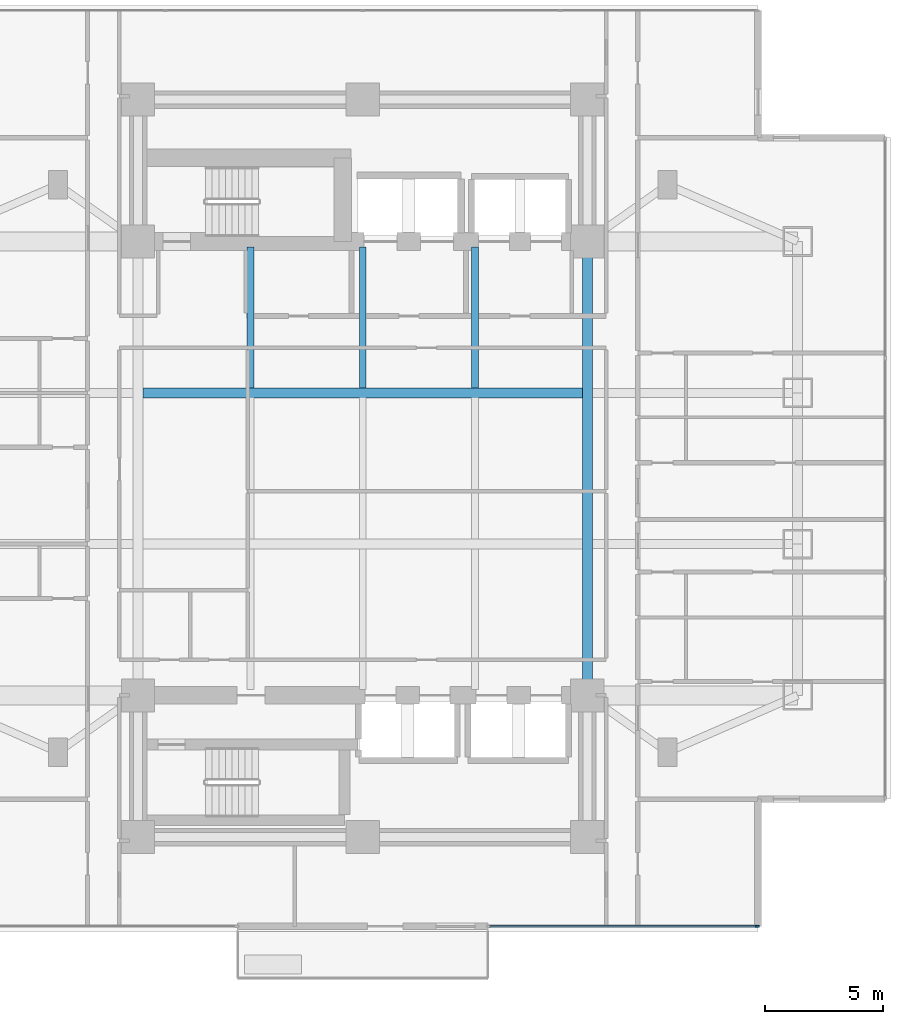
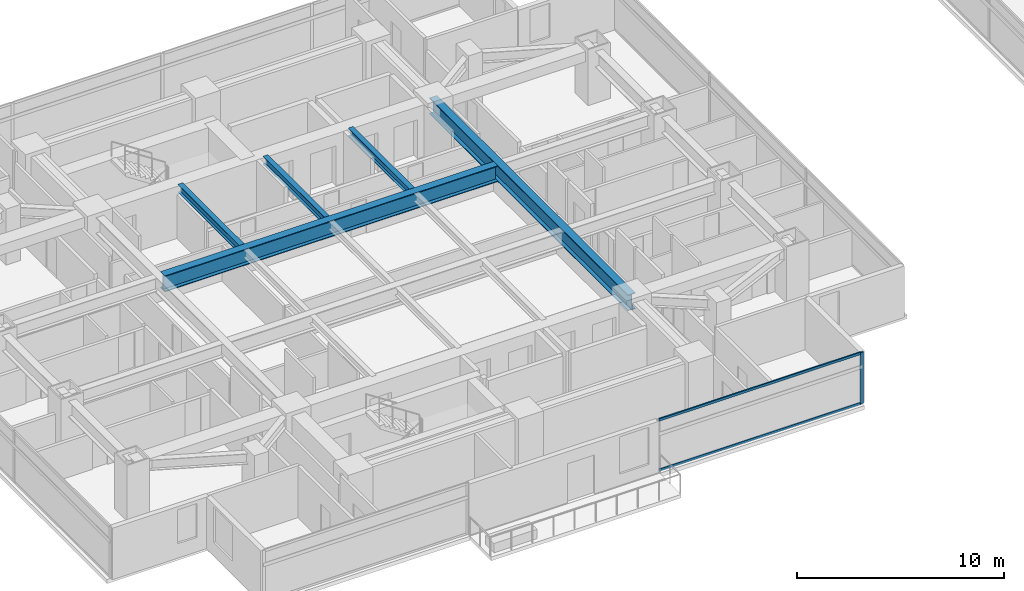
# One storey, part 4 of 25: 5 beams, 3 members, 1 element without a shape of its own.
"""IFC4 building model written with IfcOpenShell, lengths in metres."""

import ifcopenshell
import ifcopenshell.guid

model = None  # the IFC model being written
_history = None  # IfcOwnerHistory: only IFC2X3 demands one
_inside = {}  # id of a spatial element -> (the spatial element, [elements in it])
_under = {}  # id of a project, library or spatial element -> (it, [spatial elements below it])
_declared = {}  # id of a project -> (the project, [libraries it declares])
_typed = {}  # id of a type object -> (the type object, [elements of that type])
_made_of = {}  # id of a material, layer set ... -> (it, [elements and type objects made of it])


def new_model(schema):
    """Start an empty IFC model of exactly this schema.

    Asked for "IFC4X3", IfcOpenShell would pick the latest addendum, in which some entities
    have other attributes; the version numbers below select the first issue.
    IFC2X3 requires an IfcOwnerHistory on every rooted entity: one is made here for all.
    """
    global model, _history
    if schema == "IFC4X3":
        model = ifcopenshell.file(schema_version=(4, 3, 0, 0))
    else:
        model = ifcopenshell.file(schema=schema)
    _inside.clear()
    _under.clear()
    _declared.clear()
    _typed.clear()
    _made_of.clear()
    _history = None
    if model.schema == "IFC2X3":
        org = make("IfcOrganization", Name="unknown")
        user = make(
            "IfcPersonAndOrganization",
            ThePerson=make("IfcPerson", FamilyName="unknown"),
            TheOrganization=org,
        )
        app = make(
            "IfcApplication",
            ApplicationDeveloper=org,
            Version="unknown",
            ApplicationFullName="unknown",
            ApplicationIdentifier="unknown",
        )
        _history = make(
            "IfcOwnerHistory",
            OwningUser=user,
            OwningApplication=app,
            ChangeAction="ADDED",
            CreationDate=0,
        )
    return model


def make(cls, **values):
    """One entity of the class cls with the attributes given. An attribute that is None is left unset."""
    return model.create_entity(
        cls, **{name: value for name, value in values.items() if value is not None}
    )


def rooted(cls, **values):
    """An entity with a GlobalId (a new one), such as an element, a storey or a relation."""
    return make(cls, GlobalId=ifcopenshell.guid.new(), OwnerHistory=_history, **values)


def si_unit(unit_type, name, prefix=None):
    """IfcSIUnit, for example si_unit("LENGTHUNIT", "METRE", prefix="MILLI")."""
    return make("IfcSIUnit", UnitType=unit_type, Prefix=prefix, Name=name)


def assignment(units):
    """IfcUnitAssignment: the units of a project."""
    return None if units is None else make("IfcUnitAssignment", Units=units)


def point(xyz):
    """IfcCartesianPoint."""
    return None if xyz is None else make("IfcCartesianPoint", Coordinates=xyz)


def direction(xyz):
    """IfcDirection."""
    return None if xyz is None else make("IfcDirection", DirectionRatios=xyz)


def frame(location, z_axis=None, x_axis=None):
    """IfcAxis2Placement3D, a coordinate frame: its origin and axes. An axis left out is left unset."""
    return make(
        "IfcAxis2Placement3D",
        Location=point(location),
        Axis=direction(z_axis),
        RefDirection=direction(x_axis),
    )


def frame_2d(location, x_axis=None):
    """IfcAxis2Placement2D, a coordinate frame in the plane: its origin and x axis."""
    return make(
        "IfcAxis2Placement2D", Location=point(location), RefDirection=direction(x_axis)
    )


def origin():
    """The frame at (0, 0, 0) with its axes left unset."""
    return frame((0.0, 0.0, 0.0))


def origin_2d():
    """The frame at (0, 0) in the plane with its x axis left unset."""
    return frame_2d((0.0, 0.0))


def place(relative_to, where):
    """IfcLocalPlacement: puts the frame where relative to a parent placement (None: the world)."""
    return make(
        "IfcLocalPlacement", PlacementRelTo=relative_to, RelativePlacement=where
    )


def context(
    kind, dimensions, precision=None, world=None, true_north=None, identifier=None
):
    """IfcGeometricRepresentationContext, for example the 3D "Model" context."""
    return make(
        "IfcGeometricRepresentationContext",
        ContextIdentifier=identifier,
        ContextType=kind,
        CoordinateSpaceDimension=dimensions,
        Precision=precision,
        WorldCoordinateSystem=world,
        TrueNorth=true_north,
    )


def subcontext(parent, identifier, kind, view, scale=None):
    """IfcGeometricRepresentationSubContext, for example "Body" below "Model"."""
    return make(
        "IfcGeometricRepresentationSubContext",
        ContextIdentifier=identifier,
        ContextType=kind,
        ParentContext=parent,
        TargetScale=scale,
        TargetView=view,
    )


def project(units=None, contexts=None):
    """IfcProject with its units and contexts."""
    return rooted(
        "IfcProject",
        Name="project",
        RepresentationContexts=contexts,
        UnitsInContext=assignment(units),
    )


def spatial(cls, under=None, at=None, **own):
    """A site, building, storey or space (cls), placed at a placement, below another one or the project."""
    s = rooted(cls, ObjectPlacement=at, **own)
    if under is not None:
        _under.setdefault(under.id(), (under, []))[1].append(s)
    return s


def profile(cls, at=None, kind="AREA", **sizes):
    """A parametric profile (cls). Its sizes go by their IFC names, for example OverallWidth=200.0."""
    return make(cls, ProfileType=kind, Position=at, **sizes)


def rectangle(**sizes):
    """IfcRectangleProfileDef."""
    return profile("IfcRectangleProfileDef", **sizes)


def i_section(**sizes):
    """IfcIShapeProfileDef."""
    return profile("IfcIShapeProfileDef", **sizes)


def extrude(swept, where, along, depth):
    """IfcExtrudedAreaSolid: the profile swept, set in the frame where, extruded along a direction by depth."""
    return make(
        "IfcExtrudedAreaSolid",
        SweptArea=swept,
        Position=where,
        ExtrudedDirection=direction(along),
        Depth=depth,
    )


def shape(context_of_items, identifier, shape_type, items):
    """IfcShapeRepresentation: the items that make up one representation, for example the "Body"."""
    return make(
        "IfcShapeRepresentation",
        ContextOfItems=context_of_items,
        RepresentationIdentifier=identifier,
        RepresentationType=shape_type,
        Items=items,
    )


def material(Name=None, Category=None):
    """IfcMaterial."""
    return make("IfcMaterial", Name=Name, Category=Category)


def material_profile(
    of_material, cross_section, Name=None, Category=None, Priority=None
):
    """IfcMaterialProfile: a cross section and its material."""
    return make(
        "IfcMaterialProfile",
        Name=Name,
        Material=of_material,
        Profile=cross_section,
        Priority=Priority,
        Category=Category,
    )


def profile_set(profiles, Name=None, composite=None):
    """IfcMaterialProfileSet."""
    return make(
        "IfcMaterialProfileSet",
        Name=Name,
        MaterialProfiles=profiles,
        CompositeProfile=composite,
    )


def made_of(thing, what):
    """Note that an element or type object is made of a material, layer set ...; save() writes the relation."""
    if what is not None:
        _made_of.setdefault(what.id(), (what, []))[1].append(thing)
    return thing


def type_object(cls, material=None, **own):
    """A type object (cls), such as IfcWallType, which elements share."""
    return made_of(rooted(cls, **own), material)


def element(
    cls,
    number,
    at=None,
    inside=None,
    cuts=None,
    type_object=None,
    material=None,
    context=None,
    identifier="Body",
    shape_type=None,
    held_by="IfcProductDefinitionShape",
    body=None,
    shapes=None,
    **own,
):
    """One element of the class cls, such as IfcWall. Its Tag is "e" and its number.

    at: its placement. inside: the storey or other place that contains it. cuts: it is an
    opening in that element (IfcRelVoidsElement). A single representation is given by context,
    identifier, shape_type and body (its items); several are given by shapes. held_by: the class
    of the entity that holds the representations. save() writes the other relations.
    """
    e = rooted(cls, Tag="e%d" % number, ObjectPlacement=at, **own)
    if body is not None:
        shapes = [shape(context, identifier, shape_type, body)]
    if shapes is not None:
        e.Representation = make(held_by, Representations=shapes)
    if inside is not None:
        _inside.setdefault(inside.id(), (inside, []))[1].append(e)
    if cuts is not None:
        rooted(
            "IfcRelVoidsElement", RelatingBuildingElement=cuts, RelatedOpeningElement=e
        )
    if type_object is not None:
        _typed.setdefault(type_object.id(), (type_object, []))[1].append(e)
    return made_of(e, material)


def aggregate(whole, parts):
    """IfcRelAggregates: a whole, such as a stair, and the parts it consists of."""
    return rooted("IfcRelAggregates", RelatingObject=whole, RelatedObjects=parts)


def save(model, path):
    """Write the relations noted so far, then the file.

    IfcRelAggregates (storeys below a building ...), IfcRelContainedInSpatialStructure (elements
    in a storey), IfcRelDefinesByType, IfcRelAssociatesMaterial and IfcRelDeclares: one each for
    every whole, place, type object, material and project.
    """
    for whole, parts in _under.values():
        aggregate(whole, parts)
    for where, things in _inside.values():
        rooted(
            "IfcRelContainedInSpatialStructure",
            RelatedElements=things,
            RelatingStructure=where,
        )
    for kind, things in _typed.values():
        rooted("IfcRelDefinesByType", RelatedObjects=things, RelatingType=kind)
    for what, things in _made_of.values():
        rooted("IfcRelAssociatesMaterial", RelatedObjects=things, RelatingMaterial=what)
    for by, libraries in _declared.values():
        rooted("IfcRelDeclares", RelatingContext=by, RelatedDefinitions=libraries)
    model.write(path)


model = new_model("IFC4")

# Units and contexts
model_context = context("Model", 3, precision=1e-05, world=origin(), true_north=direction((0.0, 1.0)))
body_context = subcontext(model_context, "Body", "Model", "MODEL_VIEW")
ifc_project = project(units=[si_unit("LENGTHUNIT", "METRE"), si_unit("AREAUNIT", "SQUARE_METRE"), si_unit("VOLUMEUNIT", "CUBIC_METRE"), si_unit("PLANEANGLEUNIT", "RADIAN"), si_unit("MASSUNIT", "GRAM", prefix="KILO")], contexts=[model_context])

# Site, building, storey
site_placement = place(None, origin())
site = spatial("IfcSite", under=ifc_project, at=site_placement, CompositionType="ELEMENT")
building_placement = place(site_placement, origin())
building = spatial("IfcBuilding", under=site, at=building_placement, Name="Mirazonda Arch Towers", CompositionType="ELEMENT")
storey_placement = place(building_placement, frame((0.0, 0.0, 35.60009765625)))
storey = spatial("IfcBuildingStorey", under=building, at=storey_placement, Name="L09", CompositionType="ELEMENT", Elevation=35.60009765625)

# Beams
ifc_material_1 = material(Name="Steel ASTM A992 Grade 50", Category="steel")
ifc_material_profile_1 = material_profile(ifc_material_1, i_section(OverallWidth=0.280029296875, OverallDepth=0.462890625, WebThickness=0.0107421875, FlangeThickness=0.017333984375, at=origin_2d()), Name="W18X76")
ifc_profile_set_1 = profile_set([ifc_material_profile_1], Name="Steel ASTM A992 Grade 50")
beam_type_1 = type_object("IfcBeamType", Name="BM-INT-W18X76", PredefinedType="JOIST", material=ifc_profile_set_1)
for number, where, z_axis, x_axis, name in (
    (1, (15.75, 31.407470703125, 2.828369140625), (0.0, 1.0, 0.0), (-1.0, 0.0, 0.0), "L09 Floor Beam BM-T1-L09-J-157-31"),
    (2, (20.5, 31.407470703125, 2.828369140625), (0.0, 1.0, 0.0), (-1.0, 0.0, 0.0), "L09 Floor Beam BM-T1-L09-J-205-31"),
    (3, (25.25, 31.407470703125, 2.828369140625), (0.0, 1.0, 0.0), (-1.0, 0.0, 0.0), "L09 Floor Beam BM-T1-L09-J-252-31"),
):
    element("IfcBeam", number, at=place(storey_placement, frame(where, z_axis=z_axis, x_axis=x_axis)), inside=storey, type_object=beam_type_1, Name=name, PredefinedType="JOIST", context=body_context, shape_type="SweptSolid", body=[
        extrude(i_section(OverallWidth=0.280029296875, OverallDepth=0.462890625, WebThickness=0.0107421875, FlangeThickness=0.017333984375, at=origin_2d()), origin(), (0.0, 0.0, 1.0), 5.95263671875),
    ])
ifc_material_profile_2 = material_profile(ifc_material_1, i_section(OverallWidth=0.423095703125, OverallDepth=0.947998046875, WebThickness=0.02392578125, FlangeThickness=0.042724609375, at=origin_2d()), Name="W36X302")
ifc_profile_set_2 = profile_set([ifc_material_profile_2], Name="Steel ASTM A992 Grade 50")
beam_type_2 = type_object("IfcBeamType", Name="BM-INT-W36X302", PredefinedType="USERDEFINED", material=ifc_profile_set_2)
beam_1_placement = place(storey_placement, frame((11.21142578125, 31.199951171875, 2.5859375), z_axis=(1.0, 0.0, 0.0), x_axis=(0.0, 1.0, 0.0)))
element("IfcBeam", 4, at=beam_1_placement, inside=storey, type_object=beam_type_2, Name="L09 Floor Beam BM-T1-L09-GC3", ObjectType="GIRDER", PredefinedType="USERDEFINED", context=body_context, shape_type="SweptSolid", body=[
    extrude(i_section(OverallWidth=0.423095703125, OverallDepth=0.947998046875, WebThickness=0.02392578125, FlangeThickness=0.042724609375, at=origin_2d()), origin(), (0.0, 0.0, 1.0), 18.5771484375),
])
beam_2_placement = place(storey_placement, frame((30.0, 18.39990234375, 2.5859375), z_axis=(0.0, 1.0, 0.0), x_axis=(-1.0, 0.0, 0.0)))
element("IfcBeam", 5, at=beam_2_placement, inside=storey, type_object=beam_type_2, Name="L09 Floor Beam BM-T1-L09-NS-CE-FULL", ObjectType="GIRDER", PredefinedType="USERDEFINED", context=body_context, shape_type="SweptSolid", body=[
    extrude(i_section(OverallWidth=0.423095703125, OverallDepth=0.947998046875, WebThickness=0.02392578125, FlangeThickness=0.042724609375, at=origin_2d()), origin(), (0.0, 0.0, 1.0), 19.2001953125),
])

# Curtain wall, members
ifc_material_2 = material(Name="Anodised Aluminium and Low-E Glass", Category="aluminium")
curtain_wall_type = type_object("IfcCurtainWallType", Name="CW-HTL-UNIT", PredefinedType="NOTDEFINED", material=ifc_material_2)
curtain_wall_placement = place(storey_placement, origin())
curtain_wall = element("IfcCurtainWall", 6, at=curtain_wall_placement, inside=storey, type_object=curtain_wall_type, Name="L09 Curtain Wall CW-L09-T1-SA", PredefinedType="NOTDEFINED")
ifc_material_3 = material(Name="Anodised Aluminium Alloy", Category="aluminium")
ifc_material_profile_3 = material_profile(ifc_material_3, rectangle(XDim=0.074951171875, YDim=0.1650390625, at=origin_2d()), Name="ALU-MULL-75x165")
ifc_profile_set_3 = profile_set([ifc_material_profile_3], Name="Anodised Aluminium Alloy")
member_type_1 = type_object("IfcMemberType", Name="MULL-CW-HTL-UNIT", PredefinedType="MULLION", material=ifc_profile_set_3)
member_1_placement = place(storey_placement, frame((37.1826171875, 8.6279296875, 0.0), z_axis=(0.0, 0.0, 1.0), x_axis=(0.0, -1.0, 0.0)))
member_1 = element("IfcMember", 7, at=member_1_placement, type_object=member_type_1, Name="CW-112 mullion 1", PredefinedType="MULLION", context=body_context, shape_type="SweptSolid", body=[
    extrude(rectangle(XDim=0.074951171875, YDim=0.1650390625, at=origin_2d()), origin(), (0.0, 0.0, 1.0), 3.039794921875),
])
ifc_material_profile_4 = material_profile(ifc_material_3, rectangle(XDim=0.074951171875, YDim=0.14501953125, at=origin_2d()), Name="ALU-TRAN-75x145")
ifc_profile_set_4 = profile_set([ifc_material_profile_4], Name="Anodised Aluminium Alloy")
member_type_2 = type_object("IfcMemberType", Name="TRAN-CW-HTL-UNIT", PredefinedType="USERDEFINED", material=ifc_profile_set_4)
member_2_placement = place(storey_placement, frame((37.14501953125, 8.6279296875, 0.037353515625), z_axis=(-1.0, 0.0, 0.0), x_axis=(0.0, -1.0, 0.0)))
member_2 = element("IfcMember", 8, at=member_2_placement, type_object=member_type_2, Name="CW-112 transom 1.1", ObjectType="TRANSOM", PredefinedType="USERDEFINED", context=body_context, shape_type="SweptSolid", body=[
    extrude(rectangle(XDim=0.074951171875, YDim=0.14501953125, at=origin_2d()), origin(), (0.0, 0.0, 1.0), 11.280029296875),
])
member_3_placement = place(storey_placement, frame((37.14501953125, 8.6279296875, 3.00244140625), z_axis=(-1.0, 0.0, 0.0), x_axis=(0.0, -1.0, 0.0)))
member_3 = element("IfcMember", 9, at=member_3_placement, type_object=member_type_2, Name="CW-112 transom 1.2", ObjectType="TRANSOM", PredefinedType="USERDEFINED", context=body_context, shape_type="SweptSolid", body=[
    extrude(rectangle(XDim=0.074951171875, YDim=0.14501953125, at=origin_2d()), origin(), (0.0, 0.0, 1.0), 11.280029296875),
])
aggregate(curtain_wall, [member_1, member_2, member_3])

save(model, "model.ifc")
